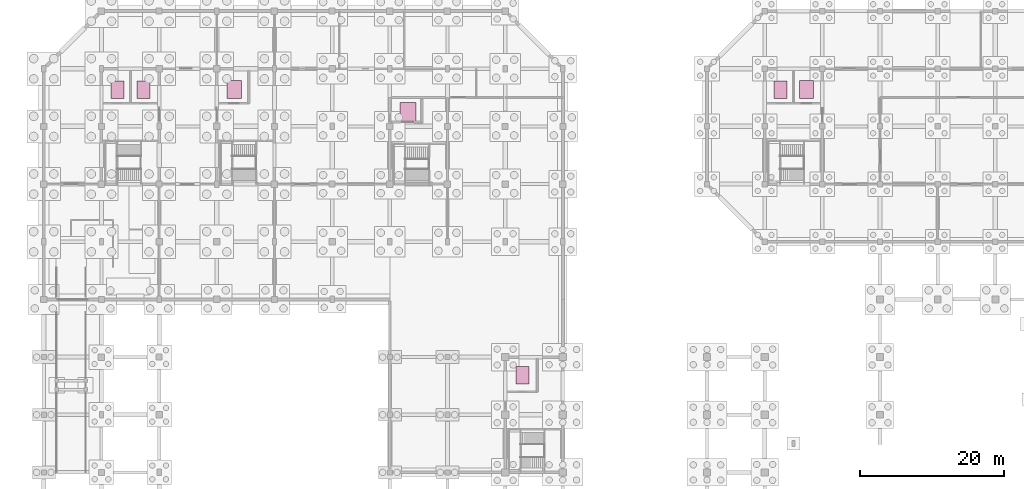
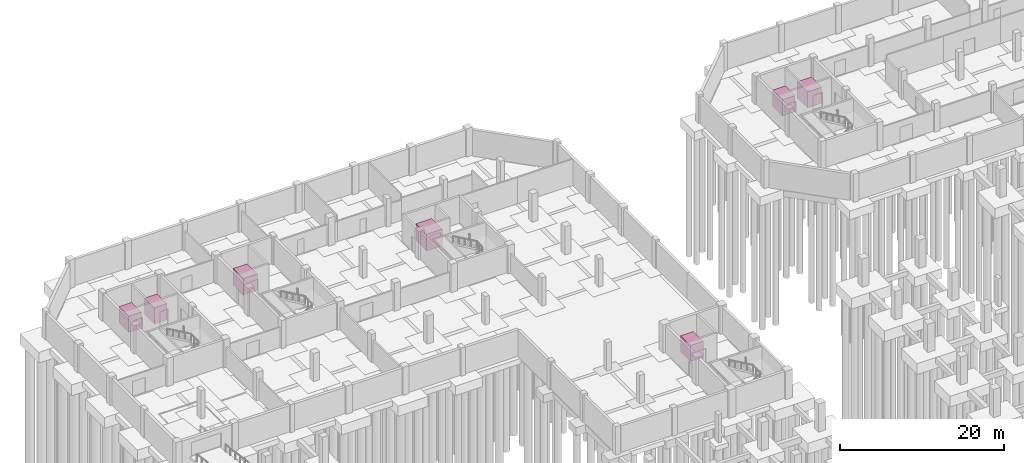
# One storey, part 32 of 32: 7 transport elements.
"""IFC4 building model written with IfcOpenShell, lengths in metres."""

from ifc_helpers import new_model, si_unit, direction, frame, origin, origin_2d, place, context, subcontext, project, spatial, rectangle, extrude, material, type_object, element, save


model = new_model("IFC4")

# Units and contexts
model_context = context("Model", 3, precision=1e-05, world=origin(), true_north=direction((0.0, 1.0)))
body_context = subcontext(model_context, "Body", "Model", "MODEL_VIEW")
ifc_project = project(units=[si_unit("LENGTHUNIT", "METRE"), si_unit("AREAUNIT", "SQUARE_METRE"), si_unit("VOLUMEUNIT", "CUBIC_METRE"), si_unit("PLANEANGLEUNIT", "RADIAN"), si_unit("MASSUNIT", "GRAM", prefix="KILO")], contexts=[model_context])

# Site, building, storey
site_placement = place(None, origin())
site = spatial("IfcSite", under=ifc_project, at=site_placement, CompositionType="ELEMENT")
building_placement = place(site_placement, origin())
building = spatial("IfcBuilding", under=site, at=building_placement, Name="Tenunan Teduh Sports Hall", CompositionType="ELEMENT")
storey_placement = place(building_placement, frame((0.0, 0.0, -4.199951171875)))
storey = spatial("IfcBuildingStorey", under=building, at=storey_placement, Name="B1", CompositionType="ELEMENT", Elevation=-4.199951171875)

# Transport elements
ifc_material_1 = material(Name="Fire-rated stainless steel cab", Category="steel")
transport_element_type_1 = type_object("IfcTransportElementType", Name="LFT-FIRE-1800", PredefinedType="ELEVATOR", material=ifc_material_1)
for number, where, z_axis, x_axis, name in (
    (1, (32.39990234375, 107.10009765625, 0.0), (0.0, 0.0, 1.0), (1.0, 0.0, 0.0), "Lift LF-01 (Firefighting)"),
    (2, (111.800048828125, 107.10009765625, 0.0), (0.0, 0.0, 1.0), (1.0, 0.0, 0.0), "Lift LF-02 (Firefighting)"),
):
    element("IfcTransportElement", number, at=place(storey_placement, frame(where, z_axis=z_axis, x_axis=x_axis)), inside=storey, type_object=transport_element_type_1, Name=name, PredefinedType="ELEVATOR", context=body_context, shape_type="SweptSolid", body=[
        extrude(rectangle(XDim=2.0, YDim=2.5, at=origin_2d()), origin(), (0.0, 0.0, 1.0), 2.39990234375),
    ])
ifc_material_2 = material(Name="Heavy-duty chequerplate steel cab", Category="steel")
transport_element_type_2 = type_object("IfcTransportElementType", Name="LFT-GOODS-2500", PredefinedType="ELEVATOR", material=ifc_material_2)
transport_element_placement = place(storey_placement, frame((56.5, 104.0, 0.0), z_axis=(0.0, 0.0, 1.0), x_axis=(1.0, 0.0, 0.0)))
element("IfcTransportElement", 3, at=transport_element_placement, inside=storey, type_object=transport_element_type_2, Name="Lift LG-01 (Goods)", PredefinedType="ELEVATOR", context=body_context, shape_type="SweptSolid", body=[
    extrude(rectangle(XDim=2.199951171875, YDim=2.60009765625, at=origin_2d()), origin(), (0.0, 0.0, 1.0), 2.5),
])
ifc_material_3 = material(Name="Stainless steel cab", Category="steel")
transport_element_type_3 = type_object("IfcTransportElementType", Name="LFT-PASS-1600", PredefinedType="ELEVATOR", material=ifc_material_3)
for number, where, z_axis, x_axis, name in (
    (4, (16.199951171875, 107.10009765625, 0.0), (0.0, 0.0, 1.0), (1.0, 0.0, 0.0), "Lift LP-01 (Passenger)"),
    (5, (19.800048828125, 107.10009765625, 0.0), (0.0, 0.0, 1.0), (1.0, 0.0, 0.0), "Lift LP-02 (Passenger)"),
    (6, (108.199951171875, 107.10009765625, 0.0), (0.0, 0.0, 1.0), (1.0, 0.0, 0.0), "Lift LP-03 (Passenger)"),
    (7, (72.39990234375, 67.5, 0.0), (0.0, 0.0, 1.0), (1.0, 0.0, 0.0), "Lift LP-05 (Passenger)"),
):
    element("IfcTransportElement", number, at=place(storey_placement, frame(where, z_axis=z_axis, x_axis=x_axis)), inside=storey, type_object=transport_element_type_3, Name=name, PredefinedType="ELEVATOR", context=body_context, shape_type="SweptSolid", body=[
        extrude(rectangle(XDim=1.800048828125, YDim=2.39990234375, at=origin_2d()), origin(), (0.0, 0.0, 1.0), 2.39990234375),
    ])

save(model, "model.ifc")
